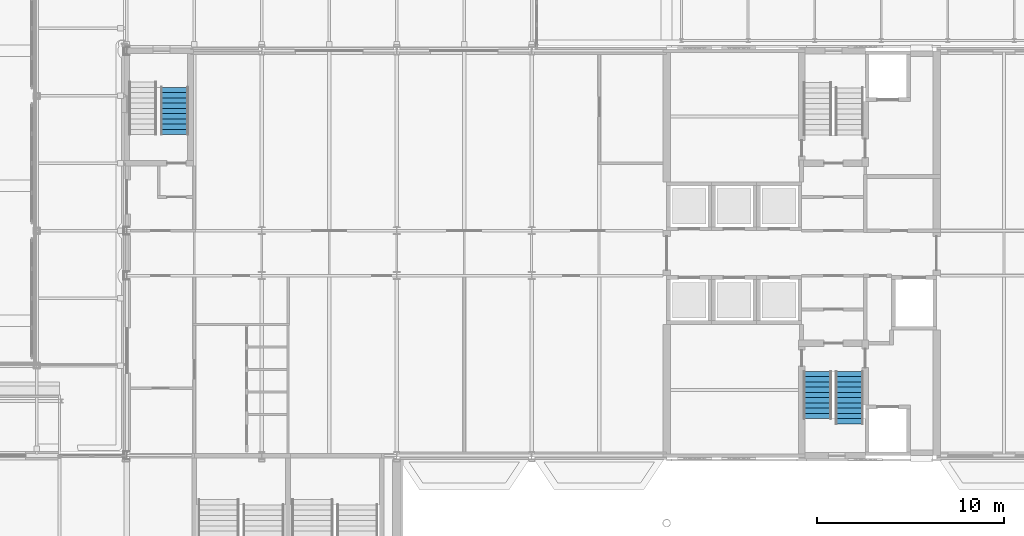
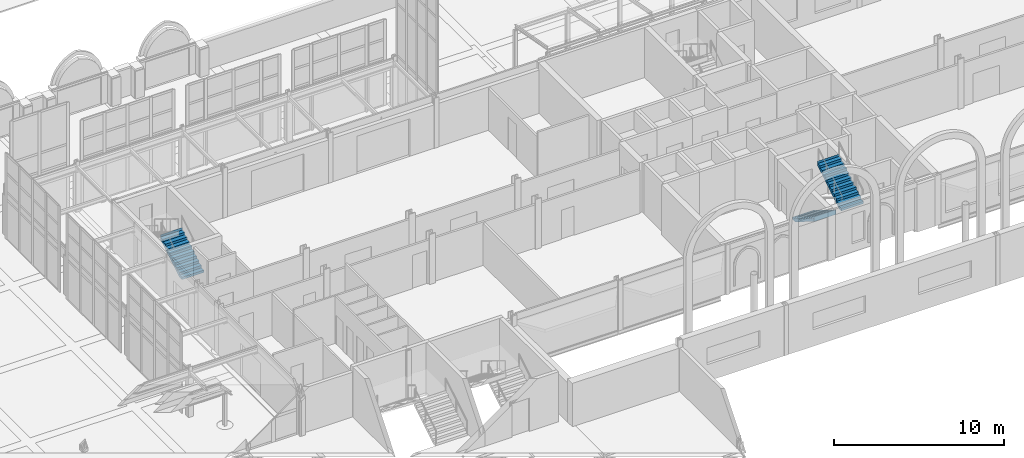
# One storey, part 99 of 143: 3 stair flights, 2 elements without a shape of their own.
"""IFC4 building model written with IfcOpenShell, lengths in metres."""

from ifc_helpers import new_model, si_unit, direction, frame, origin, place, context, subcontext, project, spatial, polyline, outline, extrude, material, type_object, element, aggregate, save


model = new_model("IFC4")

# Units and contexts
model_context = context("Model", 3, precision=1e-05, world=origin(), true_north=direction((0.0, 1.0)))
body_context = subcontext(model_context, "Body", "Model", "MODEL_VIEW")
ifc_project = project(units=[si_unit("LENGTHUNIT", "METRE"), si_unit("AREAUNIT", "SQUARE_METRE"), si_unit("VOLUMEUNIT", "CUBIC_METRE"), si_unit("PLANEANGLEUNIT", "RADIAN"), si_unit("MASSUNIT", "GRAM", prefix="KILO")], contexts=[model_context])

# Site, building, storey
site_placement = place(None, origin())
site = spatial("IfcSite", under=ifc_project, at=site_placement, CompositionType="ELEMENT")
building_placement = place(site_placement, origin())
building = spatial("IfcBuilding", under=site, at=building_placement, Name="Kupolbacken Congress Centre", CompositionType="ELEMENT")
storey_placement = place(building_placement, frame((0.0, 0.0, 7.199951171875)))
storey = spatial("IfcBuildingStorey", under=building, at=storey_placement, Name="L02", CompositionType="ELEMENT", Elevation=7.199951171875)

# Stair, stair flight
ifc_material_1 = material(Name="Steel S355", Category="steel")
stair_type = type_object("IfcStairType", Name="ST2 stair 1500", PredefinedType="TWO_STRAIGHT_RUN_STAIR", material=ifc_material_1)
stair_1_placement = place(storey_placement, origin())
stair_1 = element("IfcStair", 1, at=stair_1_placement, inside=storey, type_object=stair_type, Name="C/stair/TS1/L02", PredefinedType="NOTDEFINED")
ifc_material_2 = material(Name="Steel S355", Category="steel")
stair_flight_type_1 = type_object("IfcStairFlightType", Name="FL3 stair flight 1500 x 10 risers", PredefinedType="STRAIGHT", material=ifc_material_2)
stair_flight_1_placement = place(storey_placement, frame((101.64990234375, 126.89501953125, 0.0), z_axis=(0.0, 0.0, 1.0), x_axis=(0.0, -1.0, 0.0)))
stair_flight_1 = element("IfcStairFlight", 2, at=stair_flight_1_placement, type_object=stair_flight_type_1, Name="TS1 flight 1", NumberOfRisers=10, NumberOfTreads=9, PredefinedType="STRAIGHT", RiserHeight=0.171428571, TreadLength=0.28, context=body_context, shape_type="SweptSolid", body=[
    extrude(outline(polyline([(0.0, 0.0), (0.0, 0.0009765625), (0.0, 0.002197265625), (0.0, 0.003173828125), (0.0, 0.004150390625), (0.0, 0.00537109375), (0.0, 0.00634765625), (0.0, 0.007568359375), (0.0, 0.008544921875), (0.0, 0.009521484375), (0.0, 0.0107421875), (0.0, 0.01171875), (0.0, 0.0126953125), (0.0, 0.013916015625), (0.0, 0.014892578125), (0.0, 0.015869140625), (0.0, 0.01708984375), (0.0, 0.01806640625), (0.0, 0.019287109375), (0.0, 0.020263671875), (0.0, 0.021240234375), (0.0, 0.0224609375), (0.0, 0.0234375), (0.0, 0.0244140625), (0.0, 0.025634765625), (0.0, 0.026611328125), (0.0, 0.027587890625), (0.0, 0.02880859375), (0.0, 0.02978515625), (0.0, 0.03076171875), (0.0, 0.031982421875), (0.0, 0.032958984375), (0.0, 0.0341796875), (0.0, 0.03515625), (0.0, 0.0361328125), (0.0, 0.037353515625), (0.0, 0.038330078125), (0.0, 0.039306640625), (0.0, 0.04052734375), (0.0, 0.04150390625), (0.0, 0.04248046875), (0.0, 0.043701171875), (0.0, 0.044677734375), (0.0, 0.0458984375), (0.0, 0.046875), (0.0, 0.0478515625), (0.0, 0.049072265625), (0.0, 0.050048828125), (0.0, 0.051025390625), (0.0, 0.05224609375), (0.0, 0.05322265625), (0.0, 0.05419921875), (0.0, 0.055419921875), (0.0, 0.056396484375), (0.0, 0.0576171875), (0.0, 0.05859375), (0.0, 0.0595703125), (0.0, 0.060791015625), (0.0, 0.061767578125), (0.0, 0.062744140625), (0.0, 0.06396484375), (0.0, 0.06494140625), (0.0, 0.06591796875), (0.0, 0.067138671875), (0.0, 0.068115234375), (0.0, 0.069091796875), (0.0, 0.0703125), (0.0, 0.0712890625), (0.0, 0.072509765625), (0.0, 0.073486328125), (0.0, 0.074462890625), (0.0, 0.07568359375), (0.0, 0.07666015625), (0.0, 0.07763671875), (0.0, 0.078857421875), (0.0, 0.079833984375), (0.0, 0.080810546875), (0.0, 0.08203125), (0.0, 0.0830078125), (0.0, 0.084228515625), (0.0, 0.085205078125), (0.0, 0.086181640625), (0.0, 0.08740234375), (0.0, 0.08837890625), (0.0, 0.08935546875), (0.0, 0.090576171875), (0.0, 0.091552734375), (0.0, 0.092529296875), (0.0, 0.09375), (0.0, 0.0947265625), (0.0, 0.095947265625), (0.0, 0.096923828125), (0.0, 0.097900390625), (0.0, 0.09912109375), (0.0, 0.10009765625), (0.0, 0.10107421875), (0.0, 0.102294921875), (0.0, 0.103271484375), (0.0, 0.104248046875), (0.0, 0.10546875), (0.0, 0.1064453125), (0.0, 0.107421875), (0.0, 0.108642578125), (0.0, 0.109619140625), (0.0, 0.11083984375), (0.0, 0.11181640625), (0.0, 0.11279296875), (0.0, 0.114013671875), (0.0, 0.114990234375), (0.0, 0.115966796875), (0.0, 0.1171875), (0.0, 0.1181640625), (0.0, 0.119140625), (0.0, 0.120361328125), (0.0, 0.121337890625), (0.0, 0.12255859375), (0.0, 0.12353515625), (0.0, 0.12451171875), (0.0, 0.125732421875), (0.0, 0.126708984375), (0.0, 0.127685546875), (0.0, 0.12890625), (0.0, 0.1298828125), (0.0, 0.130859375), (0.0, 0.132080078125), (0.0, 0.133056640625), (0.0, 0.13427734375), (0.0, 0.13525390625), (0.0, 0.13623046875), (0.0, 0.137451171875), (0.0, 0.138427734375), (0.0, 0.139404296875), (0.0, 0.140625), (0.0, 0.1416015625), (0.0, 0.142578125), (0.0, 0.143798828125), (0.0, 0.144775390625), (0.0, 0.145751953125), (0.0, 0.14697265625), (0.0, 0.14794921875), (0.0, 0.149169921875), (0.0, 0.150146484375), (0.0, 0.151123046875), (0.0, 0.15234375), (0.0, 0.1533203125), (0.0, 0.154296875), (0.0, 0.155517578125), (0.0, 0.156494140625), (0.0, 0.157470703125), (0.0, 0.15869140625), (0.0, 0.15966796875), (0.0, 0.160888671875), (0.0, 0.161865234375), (0.0, 0.162841796875), (0.0, 0.1640625), (0.0, 0.1650390625), (0.0, 0.166015625), (0.0, 0.167236328125), (0.0, 0.168212890625), (0.0, 0.169189453125), (0.0, 0.17041015625), (0.0, 0.17138671875), (0.280029296875, 0.17138671875), (0.280029296875, 0.3427734375), (0.56005859375, 0.3427734375), (0.56005859375, 0.514404296875), (0.840087890625, 0.514404296875), (0.840087890625, 0.685791015625), (1.1201171875, 0.685791015625), (1.1201171875, 0.857177734375), (1.39990234375, 0.857177734375), (1.39990234375, 1.028564453125), (1.679931640625, 1.028564453125), (1.679931640625, 1.199951171875), (1.9599609375, 1.199951171875), (1.9599609375, 1.371337890625), (2.239990234375, 1.371337890625), (2.239990234375, 1.54296875), (2.52001953125, 1.54296875), (2.52001953125, 1.71435546875), (2.52197265625, 1.71435546875), (2.52197265625, 1.712158203125), (2.52197265625, 1.7099609375), (2.52197265625, 1.707763671875), (2.52197265625, 1.70556640625), (2.52197265625, 1.70361328125), (2.52197265625, 1.701416015625), (2.52197265625, 1.69921875), (2.52197265625, 1.697021484375), (2.52197265625, 1.69482421875), (2.52197265625, 1.692626953125), (2.52197265625, 1.690673828125), (2.52197265625, 1.6884765625), (2.52197265625, 1.686279296875), (2.52197265625, 1.68408203125), (2.52197265625, 1.681884765625), (2.52197265625, 1.6796875), (2.52197265625, 1.677734375), (2.52197265625, 1.675537109375), (2.52197265625, 1.67333984375), (2.52197265625, 1.671142578125), (2.52197265625, 1.6689453125), (2.52197265625, 1.666748046875), (2.52197265625, 1.664794921875), (2.52197265625, 1.66259765625), (2.52197265625, 1.660400390625), (2.52197265625, 1.658203125), (2.52197265625, 1.656005859375), (2.52197265625, 1.65380859375), (2.52197265625, 1.65185546875), (2.52197265625, 1.649658203125), (2.52197265625, 1.6474609375), (2.52197265625, 1.645263671875), (2.52197265625, 1.64306640625), (2.52197265625, 1.640869140625), (2.52197265625, 1.638916015625), (2.52197265625, 1.63671875), (2.52197265625, 1.634521484375), (2.52197265625, 1.63232421875), (2.52197265625, 1.630126953125), (2.52197265625, 1.6279296875), (2.52197265625, 1.6259765625), (2.52197265625, 1.623779296875), (2.52197265625, 1.62158203125), (2.52197265625, 1.619384765625), (2.52197265625, 1.6171875), (2.52197265625, 1.614990234375), (2.52197265625, 1.613037109375), (2.52197265625, 1.61083984375), (2.52197265625, 1.608642578125), (2.52197265625, 1.6064453125), (2.52197265625, 1.604248046875), (2.52197265625, 1.60205078125), (2.52197265625, 1.60009765625), (2.52197265625, 1.597900390625), (2.52197265625, 1.595703125), (2.52197265625, 1.593505859375), (2.52197265625, 1.59130859375), (2.52197265625, 1.589111328125), (2.52197265625, 1.587158203125), (2.52197265625, 1.5849609375), (2.52197265625, 1.582763671875), (2.52197265625, 1.58056640625), (2.52197265625, 1.578369140625), (2.52197265625, 1.576171875), (2.52197265625, 1.57421875), (2.52197265625, 1.572021484375), (2.52197265625, 1.56982421875), (2.52197265625, 1.567626953125), (2.52197265625, 1.5654296875), (2.52197265625, 1.563232421875), (2.52197265625, 1.561279296875), (2.52197265625, 1.55908203125), (2.52197265625, 1.556884765625), (2.52197265625, 1.5546875), (2.52197265625, 1.552490234375), (2.52197265625, 1.55029296875), (2.52197265625, 1.54833984375), (2.52197265625, 1.546142578125), (2.52197265625, 1.5439453125), (2.52197265625, 1.541748046875), (2.52197265625, 1.53955078125), (2.52197265625, 1.537353515625), (2.52197265625, 1.535400390625), (2.52197265625, 1.533203125), (2.52197265625, 1.531005859375), (2.52197265625, 1.52880859375), (2.52197265625, 1.526611328125), (2.52197265625, 1.5244140625), (2.52197265625, 1.5224609375), (2.52197265625, 1.520263671875), (2.52197265625, 1.51806640625), (2.52197265625, 1.515869140625), (2.52197265625, 1.513671875), (2.52197265625, 1.511474609375), (2.52197265625, 1.509521484375), (2.52197265625, 1.50732421875), (2.52197265625, 1.505126953125), (2.52197265625, 1.5029296875), (2.52197265625, 1.500732421875), (2.52197265625, 1.49853515625), (2.52197265625, 1.49658203125), (2.52197265625, 1.494384765625), (2.52197265625, 1.4921875), (2.52197265625, 1.489990234375), (2.52197265625, 1.48779296875), (2.52197265625, 1.485595703125), (2.52197265625, 1.483642578125), (2.52197265625, 1.4814453125), (2.52197265625, 1.479248046875), (2.52197265625, 1.47705078125), (2.52197265625, 1.474853515625), (2.52197265625, 1.47265625), (2.52197265625, 1.470703125), (2.52197265625, 1.468505859375), (2.52197265625, 1.46630859375), (2.52197265625, 1.464111328125), (2.52197265625, 1.4619140625), (2.52197265625, 1.459716796875), (2.52197265625, 1.457763671875), (2.52197265625, 1.45556640625), (2.52197265625, 1.453369140625), (2.52197265625, 1.451171875), (2.52197265625, 1.448974609375), (2.52197265625, 1.44677734375), (2.52197265625, 1.44482421875), (2.52197265625, 1.442626953125), (2.52197265625, 1.4404296875), (2.52197265625, 1.438232421875), (2.52197265625, 1.43603515625), (2.52197265625, 1.433837890625), (2.52197265625, 1.431884765625), (2.52197265625, 1.4296875), (2.52197265625, 1.427490234375), (2.52197265625, 1.42529296875), (2.52197265625, 1.423095703125), (2.52197265625, 1.4208984375), (2.52197265625, 1.4189453125), (2.52197265625, 1.416748046875), (2.52197265625, 1.41455078125), (2.52197265625, 1.412353515625), (2.52197265625, 1.41015625), (2.52197265625, 1.407958984375), (2.52197265625, 1.406005859375), (2.52197265625, 1.40380859375), (2.52197265625, 1.401611328125), (2.52197265625, 1.3994140625), (2.52197265625, 1.397216796875), (2.52197265625, 1.39501953125), (2.52197265625, 1.39306640625), (2.52197265625, 1.390869140625), (2.52197265625, 1.388671875), (2.52197265625, 1.386474609375), (2.52197265625, 1.38427734375), (2.52197265625, 1.382080078125), (2.52197265625, 1.380126953125), (2.52197265625, 1.3779296875), (2.52197265625, 1.375732421875), (2.52197265625, 1.37353515625), (2.52197265625, 1.371337890625), (2.52197265625, 1.369140625), (2.52197265625, 1.3671875), (0.2890625, 0.0), (0.0, 0.0)])), frame((0.0, 0.75, 0.0), z_axis=(0.0, -1.0, 0.0), x_axis=(1.0, 0.0, 0.0)), (0.0, 0.0, 1.0), 1.5),
])

stair_2_placement = place(storey_placement, origin())
stair_2 = element("IfcStair", 3, at=stair_2_placement, inside=storey, type_object=stair_type, Name="C/stair/TS3/L02", PredefinedType="NOTDEFINED")
stair_flight_2_placement = place(storey_placement, frame((67.35009765625, 139.530029296875, 0.0), z_axis=(0.0, 0.0, 1.0), x_axis=(0.0, 1.0, 0.0)))
stair_flight_2 = element("IfcStairFlight", 4, at=stair_flight_2_placement, type_object=stair_flight_type_1, Name="TS3 flight 1", NumberOfRisers=10, NumberOfTreads=9, PredefinedType="STRAIGHT", RiserHeight=0.171428571, TreadLength=0.28, context=body_context, shape_type="SweptSolid", body=[
    extrude(outline(polyline([(0.0, 0.0), (0.0, 0.0009765625), (0.0, 0.002197265625), (0.0, 0.003173828125), (0.0, 0.004150390625), (0.0, 0.00537109375), (0.0, 0.00634765625), (0.0, 0.007568359375), (0.0, 0.008544921875), (0.0, 0.009521484375), (0.0, 0.0107421875), (0.0, 0.01171875), (0.0, 0.0126953125), (0.0, 0.013916015625), (0.0, 0.014892578125), (0.0, 0.015869140625), (0.0, 0.01708984375), (0.0, 0.01806640625), (0.0, 0.019287109375), (0.0, 0.020263671875), (0.0, 0.021240234375), (0.0, 0.0224609375), (0.0, 0.0234375), (0.0, 0.0244140625), (0.0, 0.025634765625), (0.0, 0.026611328125), (0.0, 0.027587890625), (0.0, 0.02880859375), (0.0, 0.02978515625), (0.0, 0.03076171875), (0.0, 0.031982421875), (0.0, 0.032958984375), (0.0, 0.0341796875), (0.0, 0.03515625), (0.0, 0.0361328125), (0.0, 0.037353515625), (0.0, 0.038330078125), (0.0, 0.039306640625), (0.0, 0.04052734375), (0.0, 0.04150390625), (0.0, 0.04248046875), (0.0, 0.043701171875), (0.0, 0.044677734375), (0.0, 0.0458984375), (0.0, 0.046875), (0.0, 0.0478515625), (0.0, 0.049072265625), (0.0, 0.050048828125), (0.0, 0.051025390625), (0.0, 0.05224609375), (0.0, 0.05322265625), (0.0, 0.05419921875), (0.0, 0.055419921875), (0.0, 0.056396484375), (0.0, 0.0576171875), (0.0, 0.05859375), (0.0, 0.0595703125), (0.0, 0.060791015625), (0.0, 0.061767578125), (0.0, 0.062744140625), (0.0, 0.06396484375), (0.0, 0.06494140625), (0.0, 0.06591796875), (0.0, 0.067138671875), (0.0, 0.068115234375), (0.0, 0.069091796875), (0.0, 0.0703125), (0.0, 0.0712890625), (0.0, 0.072509765625), (0.0, 0.073486328125), (0.0, 0.074462890625), (0.0, 0.07568359375), (0.0, 0.07666015625), (0.0, 0.07763671875), (0.0, 0.078857421875), (0.0, 0.079833984375), (0.0, 0.080810546875), (0.0, 0.08203125), (0.0, 0.0830078125), (0.0, 0.084228515625), (0.0, 0.085205078125), (0.0, 0.086181640625), (0.0, 0.08740234375), (0.0, 0.08837890625), (0.0, 0.08935546875), (0.0, 0.090576171875), (0.0, 0.091552734375), (0.0, 0.092529296875), (0.0, 0.09375), (0.0, 0.0947265625), (0.0, 0.095947265625), (0.0, 0.096923828125), (0.0, 0.097900390625), (0.0, 0.09912109375), (0.0, 0.10009765625), (0.0, 0.10107421875), (0.0, 0.102294921875), (0.0, 0.103271484375), (0.0, 0.104248046875), (0.0, 0.10546875), (0.0, 0.1064453125), (0.0, 0.107421875), (0.0, 0.108642578125), (0.0, 0.109619140625), (0.0, 0.11083984375), (0.0, 0.11181640625), (0.0, 0.11279296875), (0.0, 0.114013671875), (0.0, 0.114990234375), (0.0, 0.115966796875), (0.0, 0.1171875), (0.0, 0.1181640625), (0.0, 0.119140625), (0.0, 0.120361328125), (0.0, 0.121337890625), (0.0, 0.12255859375), (0.0, 0.12353515625), (0.0, 0.12451171875), (0.0, 0.125732421875), (0.0, 0.126708984375), (0.0, 0.127685546875), (0.0, 0.12890625), (0.0, 0.1298828125), (0.0, 0.130859375), (0.0, 0.132080078125), (0.0, 0.133056640625), (0.0, 0.13427734375), (0.0, 0.13525390625), (0.0, 0.13623046875), (0.0, 0.137451171875), (0.0, 0.138427734375), (0.0, 0.139404296875), (0.0, 0.140625), (0.0, 0.1416015625), (0.0, 0.142578125), (0.0, 0.143798828125), (0.0, 0.144775390625), (0.0, 0.145751953125), (0.0, 0.14697265625), (0.0, 0.14794921875), (0.0, 0.149169921875), (0.0, 0.150146484375), (0.0, 0.151123046875), (0.0, 0.15234375), (0.0, 0.1533203125), (0.0, 0.154296875), (0.0, 0.155517578125), (0.0, 0.156494140625), (0.0, 0.157470703125), (0.0, 0.15869140625), (0.0, 0.15966796875), (0.0, 0.160888671875), (0.0, 0.161865234375), (0.0, 0.162841796875), (0.0, 0.1640625), (0.0, 0.1650390625), (0.0, 0.166015625), (0.0, 0.167236328125), (0.0, 0.168212890625), (0.0, 0.169189453125), (0.0, 0.17041015625), (0.0, 0.17138671875), (0.280029296875, 0.17138671875), (0.280029296875, 0.3427734375), (0.56005859375, 0.3427734375), (0.56005859375, 0.514404296875), (0.840087890625, 0.514404296875), (0.840087890625, 0.685791015625), (1.1201171875, 0.685791015625), (1.1201171875, 0.857177734375), (1.39990234375, 0.857177734375), (1.39990234375, 1.028564453125), (1.679931640625, 1.028564453125), (1.679931640625, 1.199951171875), (1.9599609375, 1.199951171875), (1.9599609375, 1.371337890625), (2.239990234375, 1.371337890625), (2.239990234375, 1.54296875), (2.52001953125, 1.54296875), (2.52001953125, 1.71435546875), (2.52197265625, 1.71435546875), (2.52197265625, 1.712158203125), (2.52197265625, 1.7099609375), (2.52197265625, 1.707763671875), (2.52197265625, 1.70556640625), (2.52197265625, 1.70361328125), (2.52197265625, 1.701416015625), (2.52197265625, 1.69921875), (2.52197265625, 1.697021484375), (2.52197265625, 1.69482421875), (2.52197265625, 1.692626953125), (2.52197265625, 1.690673828125), (2.52197265625, 1.6884765625), (2.52197265625, 1.686279296875), (2.52197265625, 1.68408203125), (2.52197265625, 1.681884765625), (2.52197265625, 1.6796875), (2.52197265625, 1.677734375), (2.52197265625, 1.675537109375), (2.52197265625, 1.67333984375), (2.52197265625, 1.671142578125), (2.52197265625, 1.6689453125), (2.52197265625, 1.666748046875), (2.52197265625, 1.664794921875), (2.52197265625, 1.66259765625), (2.52197265625, 1.660400390625), (2.52197265625, 1.658203125), (2.52197265625, 1.656005859375), (2.52197265625, 1.65380859375), (2.52197265625, 1.65185546875), (2.52197265625, 1.649658203125), (2.52197265625, 1.6474609375), (2.52197265625, 1.645263671875), (2.52197265625, 1.64306640625), (2.52197265625, 1.640869140625), (2.52197265625, 1.638916015625), (2.52197265625, 1.63671875), (2.52197265625, 1.634521484375), (2.52197265625, 1.63232421875), (2.52197265625, 1.630126953125), (2.52197265625, 1.6279296875), (2.52197265625, 1.6259765625), (2.52197265625, 1.623779296875), (2.52197265625, 1.62158203125), (2.52197265625, 1.619384765625), (2.52197265625, 1.6171875), (2.52197265625, 1.614990234375), (2.52197265625, 1.613037109375), (2.52197265625, 1.61083984375), (2.52197265625, 1.608642578125), (2.52197265625, 1.6064453125), (2.52197265625, 1.604248046875), (2.52197265625, 1.60205078125), (2.52197265625, 1.60009765625), (2.52197265625, 1.597900390625), (2.52197265625, 1.595703125), (2.52197265625, 1.593505859375), (2.52197265625, 1.59130859375), (2.52197265625, 1.589111328125), (2.52197265625, 1.587158203125), (2.52197265625, 1.5849609375), (2.52197265625, 1.582763671875), (2.52197265625, 1.58056640625), (2.52197265625, 1.578369140625), (2.52197265625, 1.576171875), (2.52197265625, 1.57421875), (2.52197265625, 1.572021484375), (2.52197265625, 1.56982421875), (2.52197265625, 1.567626953125), (2.52197265625, 1.5654296875), (2.52197265625, 1.563232421875), (2.52197265625, 1.561279296875), (2.52197265625, 1.55908203125), (2.52197265625, 1.556884765625), (2.52197265625, 1.5546875), (2.52197265625, 1.552490234375), (2.52197265625, 1.55029296875), (2.52197265625, 1.54833984375), (2.52197265625, 1.546142578125), (2.52197265625, 1.5439453125), (2.52197265625, 1.541748046875), (2.52197265625, 1.53955078125), (2.52197265625, 1.537353515625), (2.52197265625, 1.535400390625), (2.52197265625, 1.533203125), (2.52197265625, 1.531005859375), (2.52197265625, 1.52880859375), (2.52197265625, 1.526611328125), (2.52197265625, 1.5244140625), (2.52197265625, 1.5224609375), (2.52197265625, 1.520263671875), (2.52197265625, 1.51806640625), (2.52197265625, 1.515869140625), (2.52197265625, 1.513671875), (2.52197265625, 1.511474609375), (2.52197265625, 1.509521484375), (2.52197265625, 1.50732421875), (2.52197265625, 1.505126953125), (2.52197265625, 1.5029296875), (2.52197265625, 1.500732421875), (2.52197265625, 1.49853515625), (2.52197265625, 1.49658203125), (2.52197265625, 1.494384765625), (2.52197265625, 1.4921875), (2.52197265625, 1.489990234375), (2.52197265625, 1.48779296875), (2.52197265625, 1.485595703125), (2.52197265625, 1.483642578125), (2.52197265625, 1.4814453125), (2.52197265625, 1.479248046875), (2.52197265625, 1.47705078125), (2.52197265625, 1.474853515625), (2.52197265625, 1.47265625), (2.52197265625, 1.470703125), (2.52197265625, 1.468505859375), (2.52197265625, 1.46630859375), (2.52197265625, 1.464111328125), (2.52197265625, 1.4619140625), (2.52197265625, 1.459716796875), (2.52197265625, 1.457763671875), (2.52197265625, 1.45556640625), (2.52197265625, 1.453369140625), (2.52197265625, 1.451171875), (2.52197265625, 1.448974609375), (2.52197265625, 1.44677734375), (2.52197265625, 1.44482421875), (2.52197265625, 1.442626953125), (2.52197265625, 1.4404296875), (2.52197265625, 1.438232421875), (2.52197265625, 1.43603515625), (2.52197265625, 1.433837890625), (2.52197265625, 1.431884765625), (2.52197265625, 1.4296875), (2.52197265625, 1.427490234375), (2.52197265625, 1.42529296875), (2.52197265625, 1.423095703125), (2.52197265625, 1.4208984375), (2.52197265625, 1.4189453125), (2.52197265625, 1.416748046875), (2.52197265625, 1.41455078125), (2.52197265625, 1.412353515625), (2.52197265625, 1.41015625), (2.52197265625, 1.407958984375), (2.52197265625, 1.406005859375), (2.52197265625, 1.40380859375), (2.52197265625, 1.401611328125), (2.52197265625, 1.3994140625), (2.52197265625, 1.397216796875), (2.52197265625, 1.39501953125), (2.52197265625, 1.39306640625), (2.52197265625, 1.390869140625), (2.52197265625, 1.388671875), (2.52197265625, 1.386474609375), (2.52197265625, 1.38427734375), (2.52197265625, 1.382080078125), (2.52197265625, 1.380126953125), (2.52197265625, 1.3779296875), (2.52197265625, 1.375732421875), (2.52197265625, 1.37353515625), (2.52197265625, 1.371337890625), (2.52197265625, 1.369140625), (2.52197265625, 1.3671875), (0.2890625, 0.0), (0.0, 0.0)])), frame((0.0, 0.75, 0.0), z_axis=(0.0, -1.0, 0.0), x_axis=(1.0, 0.0, 0.0)), (0.0, 0.0, 1.0), 1.5),
])
aggregate(stair_2, [stair_flight_2])

# Stair flight
ifc_material_3 = material(Name="Steel S355", Category="steel")
stair_flight_type_2 = type_object("IfcStairFlightType", Name="FL4 stair flight 1500 x 11 risers", PredefinedType="STRAIGHT", material=ifc_material_3)
stair_flight_3_placement = place(storey_placement, frame((103.35009765625, 124.094970703125, 1.71435546875), z_axis=(0.0, 0.0, 1.0), x_axis=(0.0, 1.0, 0.0)))
stair_flight_3 = element("IfcStairFlight", 5, at=stair_flight_3_placement, type_object=stair_flight_type_2, Name="TS1 flight 2", NumberOfRisers=11, NumberOfTreads=10, PredefinedType="STRAIGHT", RiserHeight=0.171428571, TreadLength=0.28, context=body_context, shape_type="SweptSolid", body=[
    extrude(outline(polyline([(0.0, 0.0), (0.0, 0.0009765625), (0.0, 0.002197265625), (0.0, 0.003173828125), (0.0, 0.004150390625), (0.0, 0.00537109375), (0.0, 0.00634765625), (0.0, 0.007568359375), (0.0, 0.008544921875), (0.0, 0.009521484375), (0.0, 0.0107421875), (0.0, 0.01171875), (0.0, 0.0126953125), (0.0, 0.013916015625), (0.0, 0.014892578125), (0.0, 0.015869140625), (0.0, 0.01708984375), (0.0, 0.01806640625), (0.0, 0.019287109375), (0.0, 0.020263671875), (0.0, 0.021240234375), (0.0, 0.0224609375), (0.0, 0.0234375), (0.0, 0.0244140625), (0.0, 0.025634765625), (0.0, 0.026611328125), (0.0, 0.027587890625), (0.0, 0.02880859375), (0.0, 0.02978515625), (0.0, 0.03076171875), (0.0, 0.031982421875), (0.0, 0.032958984375), (0.0, 0.0341796875), (0.0, 0.03515625), (0.0, 0.0361328125), (0.0, 0.037353515625), (0.0, 0.038330078125), (0.0, 0.039306640625), (0.0, 0.04052734375), (0.0, 0.04150390625), (0.0, 0.04248046875), (0.0, 0.043701171875), (0.0, 0.044677734375), (0.0, 0.0458984375), (0.0, 0.046875), (0.0, 0.0478515625), (0.0, 0.049072265625), (0.0, 0.050048828125), (0.0, 0.051025390625), (0.0, 0.05224609375), (0.0, 0.05322265625), (0.0, 0.05419921875), (0.0, 0.055419921875), (0.0, 0.056396484375), (0.0, 0.0576171875), (0.0, 0.05859375), (0.0, 0.0595703125), (0.0, 0.060791015625), (0.0, 0.061767578125), (0.0, 0.062744140625), (0.0, 0.06396484375), (0.0, 0.06494140625), (0.0, 0.06591796875), (0.0, 0.067138671875), (0.0, 0.068115234375), (0.0, 0.069091796875), (0.0, 0.0703125), (0.0, 0.0712890625), (0.0, 0.072509765625), (0.0, 0.073486328125), (0.0, 0.074462890625), (0.0, 0.07568359375), (0.0, 0.07666015625), (0.0, 0.07763671875), (0.0, 0.078857421875), (0.0, 0.079833984375), (0.0, 0.080810546875), (0.0, 0.08203125), (0.0, 0.0830078125), (0.0, 0.084228515625), (0.0, 0.085205078125), (0.0, 0.086181640625), (0.0, 0.08740234375), (0.0, 0.08837890625), (0.0, 0.08935546875), (0.0, 0.090576171875), (0.0, 0.091552734375), (0.0, 0.092529296875), (0.0, 0.09375), (0.0, 0.0947265625), (0.0, 0.095947265625), (0.0, 0.096923828125), (0.0, 0.097900390625), (0.0, 0.09912109375), (0.0, 0.10009765625), (0.0, 0.10107421875), (0.0, 0.102294921875), (0.0, 0.103271484375), (0.0, 0.104248046875), (0.0, 0.10546875), (0.0, 0.1064453125), (0.0, 0.107421875), (0.0, 0.108642578125), (0.0, 0.109619140625), (0.0, 0.11083984375), (0.0, 0.11181640625), (0.0, 0.11279296875), (0.0, 0.114013671875), (0.0, 0.114990234375), (0.0, 0.115966796875), (0.0, 0.1171875), (0.0, 0.1181640625), (0.0, 0.119140625), (0.0, 0.120361328125), (0.0, 0.121337890625), (0.0, 0.12255859375), (0.0, 0.12353515625), (0.0, 0.12451171875), (0.0, 0.125732421875), (0.0, 0.126708984375), (0.0, 0.127685546875), (0.0, 0.12890625), (0.0, 0.1298828125), (0.0, 0.130859375), (0.0, 0.132080078125), (0.0, 0.133056640625), (0.0, 0.13427734375), (0.0, 0.13525390625), (0.0, 0.13623046875), (0.0, 0.137451171875), (0.0, 0.138427734375), (0.0, 0.139404296875), (0.0, 0.140625), (0.0, 0.1416015625), (0.0, 0.142578125), (0.0, 0.143798828125), (0.0, 0.144775390625), (0.0, 0.145751953125), (0.0, 0.14697265625), (0.0, 0.14794921875), (0.0, 0.149169921875), (0.0, 0.150146484375), (0.0, 0.151123046875), (0.0, 0.15234375), (0.0, 0.1533203125), (0.0, 0.154296875), (0.0, 0.155517578125), (0.0, 0.156494140625), (0.0, 0.157470703125), (0.0, 0.15869140625), (0.0, 0.15966796875), (0.0, 0.160888671875), (0.0, 0.161865234375), (0.0, 0.162841796875), (0.0, 0.1640625), (0.0, 0.1650390625), (0.0, 0.166015625), (0.0, 0.167236328125), (0.0, 0.168212890625), (0.0, 0.169189453125), (0.0, 0.17041015625), (0.0, 0.17138671875), (0.280029296875, 0.17138671875), (0.280029296875, 0.3427734375), (0.56005859375, 0.3427734375), (0.56005859375, 0.514404296875), (0.840087890625, 0.514404296875), (0.840087890625, 0.685791015625), (1.1201171875, 0.685791015625), (1.1201171875, 0.857177734375), (1.39990234375, 0.857177734375), (1.39990234375, 1.028564453125), (1.679931640625, 1.028564453125), (1.679931640625, 1.199951171875), (1.9599609375, 1.199951171875), (1.9599609375, 1.371337890625), (2.239990234375, 1.371337890625), (2.239990234375, 1.54296875), (2.52001953125, 1.54296875), (2.52001953125, 1.71435546875), (2.800048828125, 1.71435546875), (2.800048828125, 1.8857421875), (2.802001953125, 1.8857421875), (2.802001953125, 1.883544921875), (2.802001953125, 1.88134765625), (2.802001953125, 1.879150390625), (2.802001953125, 1.877197265625), (2.802001953125, 1.875), (2.802001953125, 1.872802734375), (2.802001953125, 1.87060546875), (2.802001953125, 1.868408203125), (2.802001953125, 1.8662109375), (2.802001953125, 1.8642578125), (2.802001953125, 1.862060546875), (2.802001953125, 1.85986328125), (2.802001953125, 1.857666015625), (2.802001953125, 1.85546875), (2.802001953125, 1.853271484375), (2.802001953125, 1.851318359375), (2.802001953125, 1.84912109375), (2.802001953125, 1.846923828125), (2.802001953125, 1.8447265625), (2.802001953125, 1.842529296875), (2.802001953125, 1.84033203125), (2.802001953125, 1.83837890625), (2.802001953125, 1.836181640625), (2.802001953125, 1.833984375), (2.802001953125, 1.831787109375), (2.802001953125, 1.82958984375), (2.802001953125, 1.827392578125), (2.802001953125, 1.825439453125), (2.802001953125, 1.8232421875), (2.802001953125, 1.821044921875), (2.802001953125, 1.81884765625), (2.802001953125, 1.816650390625), (2.802001953125, 1.814453125), (2.802001953125, 1.8125), (2.802001953125, 1.810302734375), (2.802001953125, 1.80810546875), (2.802001953125, 1.805908203125), (2.802001953125, 1.8037109375), (2.802001953125, 1.801513671875), (2.802001953125, 1.799560546875), (2.802001953125, 1.79736328125), (2.802001953125, 1.795166015625), (2.802001953125, 1.79296875), (2.802001953125, 1.790771484375), (2.802001953125, 1.78857421875), (2.802001953125, 1.78662109375), (2.802001953125, 1.784423828125), (2.802001953125, 1.7822265625), (2.802001953125, 1.780029296875), (2.802001953125, 1.77783203125), (2.802001953125, 1.775634765625), (2.802001953125, 1.773681640625), (2.802001953125, 1.771484375), (2.802001953125, 1.769287109375), (2.802001953125, 1.76708984375), (2.802001953125, 1.764892578125), (2.802001953125, 1.7626953125), (2.802001953125, 1.7607421875), (2.802001953125, 1.758544921875), (2.802001953125, 1.75634765625), (2.802001953125, 1.754150390625), (2.802001953125, 1.751953125), (2.802001953125, 1.749755859375), (2.802001953125, 1.747802734375), (2.802001953125, 1.74560546875), (2.802001953125, 1.743408203125), (2.802001953125, 1.7412109375), (2.802001953125, 1.739013671875), (2.802001953125, 1.73681640625), (2.802001953125, 1.73486328125), (2.802001953125, 1.732666015625), (2.802001953125, 1.73046875), (2.802001953125, 1.728271484375), (2.802001953125, 1.72607421875), (2.802001953125, 1.723876953125), (2.802001953125, 1.721923828125), (2.802001953125, 1.7197265625), (2.802001953125, 1.717529296875), (2.802001953125, 1.71533203125), (2.802001953125, 1.713134765625), (2.802001953125, 1.7109375), (2.802001953125, 1.708984375), (2.802001953125, 1.706787109375), (2.802001953125, 1.70458984375), (2.802001953125, 1.702392578125), (2.802001953125, 1.7001953125), (2.802001953125, 1.697998046875), (2.802001953125, 1.696044921875), (2.802001953125, 1.69384765625), (2.802001953125, 1.691650390625), (2.802001953125, 1.689453125), (2.802001953125, 1.687255859375), (2.802001953125, 1.68505859375), (2.802001953125, 1.68310546875), (2.802001953125, 1.680908203125), (2.802001953125, 1.6787109375), (2.802001953125, 1.676513671875), (2.802001953125, 1.67431640625), (2.802001953125, 1.672119140625), (2.802001953125, 1.670166015625), (2.802001953125, 1.66796875), (2.802001953125, 1.665771484375), (2.802001953125, 1.66357421875), (2.802001953125, 1.661376953125), (2.802001953125, 1.6591796875), (2.802001953125, 1.6572265625), (2.802001953125, 1.655029296875), (2.802001953125, 1.65283203125), (2.802001953125, 1.650634765625), (2.802001953125, 1.6484375), (2.802001953125, 1.646240234375), (2.802001953125, 1.644287109375), (2.802001953125, 1.64208984375), (2.802001953125, 1.639892578125), (2.802001953125, 1.6376953125), (2.802001953125, 1.635498046875), (2.802001953125, 1.63330078125), (2.802001953125, 1.63134765625), (2.802001953125, 1.629150390625), (2.802001953125, 1.626953125), (2.802001953125, 1.624755859375), (2.802001953125, 1.62255859375), (2.802001953125, 1.620361328125), (2.802001953125, 1.618408203125), (2.802001953125, 1.6162109375), (2.802001953125, 1.614013671875), (2.802001953125, 1.61181640625), (2.802001953125, 1.609619140625), (2.802001953125, 1.607421875), (2.802001953125, 1.60546875), (2.802001953125, 1.603271484375), (2.802001953125, 1.60107421875), (2.802001953125, 1.598876953125), (2.802001953125, 1.5966796875), (2.802001953125, 1.594482421875), (2.802001953125, 1.592529296875), (2.802001953125, 1.59033203125), (2.802001953125, 1.588134765625), (2.802001953125, 1.5859375), (2.802001953125, 1.583740234375), (2.802001953125, 1.58154296875), (2.802001953125, 1.57958984375), (2.802001953125, 1.577392578125), (2.802001953125, 1.5751953125), (2.802001953125, 1.572998046875), (2.802001953125, 1.57080078125), (2.802001953125, 1.568603515625), (2.802001953125, 1.566650390625), (2.802001953125, 1.564453125), (2.802001953125, 1.562255859375), (2.802001953125, 1.56005859375), (2.802001953125, 1.557861328125), (2.802001953125, 1.5556640625), (2.802001953125, 1.5537109375), (2.802001953125, 1.551513671875), (2.802001953125, 1.54931640625), (2.802001953125, 1.547119140625), (2.802001953125, 1.544921875), (2.802001953125, 1.542724609375), (2.802001953125, 1.540771484375), (2.802001953125, 1.53857421875), (0.2890625, 0.0), (0.0, 0.0)])), frame((0.0, 0.75, 0.0), z_axis=(0.0, -1.0, 0.0), x_axis=(1.0, 0.0, 0.0)), (0.0, 0.0, 1.0), 1.5),
])

aggregate(stair_1, [stair_flight_1, stair_flight_3])

save(model, "model.ifc")
